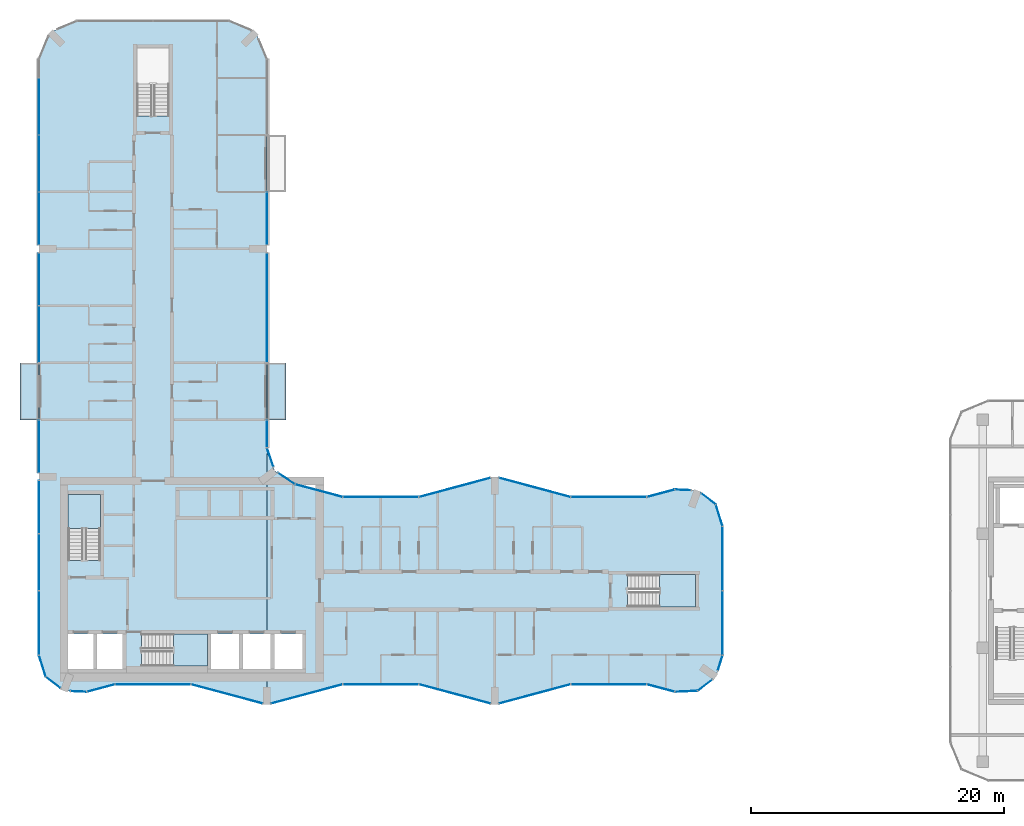
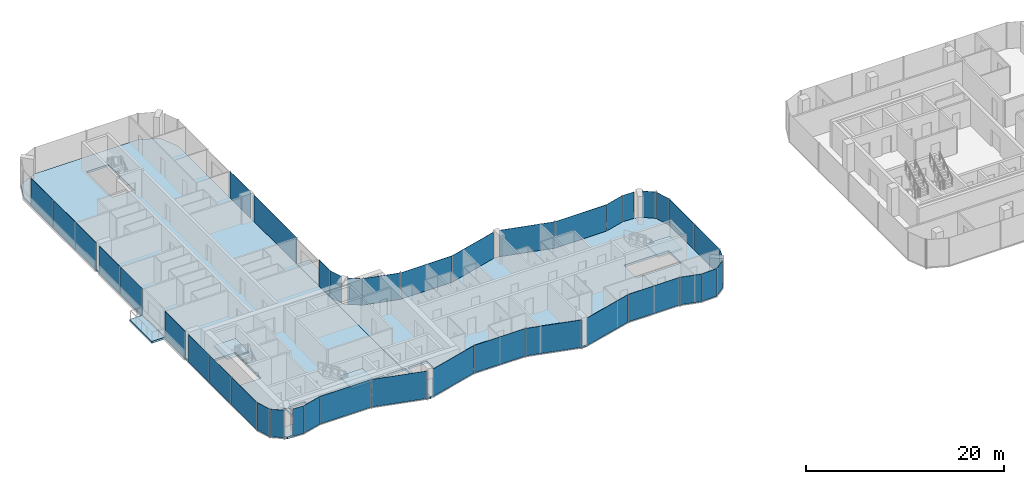
# One storey, part 11 of 22: 40 plates, 7 slabs, 37 elements without a shape of their own.
"""IFC4 building model written with IfcOpenShell, lengths in metres."""

from ifc_helpers import new_model, si_unit, direction, frame, origin, origin_2d, place, context, subcontext, project, spatial, polyline, rectangle, outline, extrude, material, layer, layer_set, type_object, element, aggregate, save


model = new_model("IFC4")

# Units and contexts
model_context = context("Model", 3, precision=1e-05, world=origin(), true_north=direction((0.0, 1.0)))
body_context = subcontext(model_context, "Body", "Model", "MODEL_VIEW")
ifc_project = project(units=[si_unit("LENGTHUNIT", "METRE"), si_unit("AREAUNIT", "SQUARE_METRE"), si_unit("VOLUMEUNIT", "CUBIC_METRE"), si_unit("PLANEANGLEUNIT", "RADIAN"), si_unit("MASSUNIT", "GRAM", prefix="KILO")], contexts=[model_context])

# Site, building, storey
site_placement = place(None, origin())
site = spatial("IfcSite", under=ifc_project, at=site_placement, CompositionType="ELEMENT")
building_placement = place(site_placement, origin())
building = spatial("IfcBuilding", under=site, at=building_placement, Name="Plateau Cross Towers", CompositionType="ELEMENT")
storey_placement = place(building_placement, frame((0.0, 0.0, 102.800048828125)))
storey = spatial("IfcBuildingStorey", under=building, at=storey_placement, Name="L26", CompositionType="ELEMENT", Elevation=102.800048828125)

# Slabs
ifc_material_1 = material(Name="Concrete C40/50", Category="concrete")
ifc_layer_1 = layer(ifc_material_1, 0.25)
ifc_layer_set_1 = layer_set([ifc_layer_1], Name="Concrete C40/50")
slab_type_1 = type_object("IfcSlabType", Name="Balcony slab 250", PredefinedType="FLOOR", material=ifc_layer_set_1)
slab_1_placement = place(storey_placement, frame((0.0, 0.0, -0.25)))
element("IfcSlab", 1, at=slab_1_placement, inside=storey, type_object=slab_type_1, Name="Balcony slab A-BAL-L26-01", PredefinedType="FLOOR", context=body_context, shape_type="SweptSolid", body=[
    extrude(outline(polyline([(0.0, 22.5), (0.0, 27.0), (-1.5, 27.0), (-1.5, 22.5), (0.0, 22.5)])), origin(), (0.0, 0.0, 1.0), 0.25),
])
slab_2_placement = place(storey_placement, frame((0.0, 0.0, -0.25)))
element("IfcSlab", 2, at=slab_2_placement, inside=storey, type_object=slab_type_1, Name="Balcony slab A-BAL-L26-02", PredefinedType="FLOOR", context=body_context, shape_type="SweptSolid", body=[
    extrude(outline(polyline([(19.5, 22.5), (19.5, 27.0), (18.0, 27.0), (18.0, 22.5), (19.5, 22.5)])), origin(), (0.0, 0.0, 1.0), 0.25),
])

# Curtain wall, plate
ifc_material_2 = material(Name="Dark low-iron glass", Category="glass")
ifc_layer_2 = layer(ifc_material_2, 0.239990234375)
ifc_layer_set_2 = layer_set([ifc_layer_2], Name="Dark low-iron glass")
curtain_wall_type_1 = type_object("IfcCurtainWallType", Name="Curtain wall flush unitised CW-B", PredefinedType="NOTDEFINED", material=ifc_layer_set_2)
curtain_wall_1_placement = place(storey_placement, origin())
curtain_wall_1 = element("IfcCurtainWall", 3, at=curtain_wall_1_placement, inside=storey, type_object=curtain_wall_type_1, Name="ENV/A/L26/A502_10", PredefinedType="NOTDEFINED")
ifc_layer_3 = layer(ifc_material_2, 0.031982421875)
ifc_layer_set_3 = layer_set([ifc_layer_3], Name="Dark low-iron glass")
plate_type_1 = type_object("IfcPlateType", Name="Glass panel 32 flush unitised", PredefinedType="CURTAIN_PANEL", material=ifc_layer_set_3)
plate_1_placement = place(storey_placement, frame((51.125, 1.05078125, -0.1298828125), z_axis=(0.0, 0.0, 1.0), x_axis=(0.999043701491, 0.043722791671, 0.0)))
plate_1 = element("IfcPlate", 4, at=plate_1_placement, type_object=plate_type_1, Name="CW-B panel 1", PredefinedType="CURTAIN_PANEL", context=body_context, shape_type="SweptSolid", body=[
    extrude(rectangle(XDim=1.744140625, YDim=0.031982421875, at=origin_2d()), origin(), (0.0, 0.0, 1.0), 3.3798828125),
])
aggregate(curtain_wall_1, [plate_1])

curtain_wall_2_placement = place(storey_placement, origin())
curtain_wall_2 = element("IfcCurtainWall", 5, at=curtain_wall_2_placement, inside=storey, type_object=curtain_wall_type_1, Name="ENV/A/L26/A520_11", PredefinedType="NOTDEFINED")
plate_2_placement = place(storey_placement, frame((52.60986328125, 1.5380859375, -0.1298828125), z_axis=(0.0, 0.0, 1.0), x_axis=(0.793315514529, 0.608810721331, 0.0)))
plate_2 = element("IfcPlate", 6, at=plate_2_placement, type_object=plate_type_1, Name="CW-B panel 1", PredefinedType="CURTAIN_PANEL", context=body_context, shape_type="SweptSolid", body=[
    extrude(rectangle(XDim=1.41162109375, YDim=0.031982421875, at=origin_2d()), origin(), (0.0, 0.0, 1.0), 3.3798828125),
])
aggregate(curtain_wall_2, [plate_2])

curtain_wall_3_placement = place(storey_placement, origin())
curtain_wall_3 = element("IfcCurtainWall", 7, at=curtain_wall_3_placement, inside=storey, type_object=curtain_wall_type_1, Name="ENV/A/L26/A536_27", PredefinedType="NOTDEFINED")
plate_3_placement = place(storey_placement, frame((53.805419921875, 3.292236328125, -0.1298828125), z_axis=(0.0, 0.0, 1.0), x_axis=(0.300686174994, 0.95372313811, 0.0)))
plate_3 = element("IfcPlate", 8, at=plate_3_placement, type_object=plate_type_1, Name="CW-B panel 1", PredefinedType="CURTAIN_PANEL", context=body_context, shape_type="SweptSolid", body=[
    extrude(rectangle(XDim=1.233642578125, YDim=0.031982421875, at=origin_2d()), origin(), (0.0, 0.0, 1.0), 3.3798828125),
])
aggregate(curtain_wall_3, [plate_3])

# Curtain wall, plates
curtain_wall_4_placement = place(storey_placement, origin())
curtain_wall_4 = element("IfcCurtainWall", 9, at=curtain_wall_4_placement, inside=storey, type_object=curtain_wall_type_1, Name="ENV/A/L26/A540_39", PredefinedType="NOTDEFINED")
plate_4_placement = place(storey_placement, frame((54.0, 6.45458984375, -0.1298828125), z_axis=(0.0, 0.0, 1.0), x_axis=(0.0, 1.0, 0.0)))
plate_4 = element("IfcPlate", 10, at=plate_4_placement, type_object=plate_type_1, Name="CW-B panel 1", PredefinedType="CURTAIN_PANEL", context=body_context, shape_type="SweptSolid", body=[
    extrude(rectangle(XDim=5.03076171875, YDim=0.031982421875, at=origin_2d()), origin(), (0.0, 0.0, 1.0), 3.3798828125),
])
plate_5_placement = place(storey_placement, frame((54.0, 11.54541015625, -0.1298828125), z_axis=(0.0, 0.0, 1.0), x_axis=(0.0, 1.0, 0.0)))
plate_5 = element("IfcPlate", 11, at=plate_5_placement, type_object=plate_type_1, Name="CW-B panel 2", PredefinedType="CURTAIN_PANEL", context=body_context, shape_type="SweptSolid", body=[
    extrude(rectangle(XDim=5.03076171875, YDim=0.031982421875, at=origin_2d()), origin(), (0.0, 0.0, 1.0), 3.3798828125),
])
aggregate(curtain_wall_4, [plate_4, plate_5])

# Curtain wall, plate
curtain_wall_5_placement = place(storey_placement, origin())
curtain_wall_5 = element("IfcCurtainWall", 12, at=curtain_wall_5_placement, inside=storey, type_object=curtain_wall_type_1, Name="ENV/A/L26/A540_141", PredefinedType="NOTDEFINED")
plate_6_placement = place(storey_placement, frame((53.728759765625, 14.951171875, -0.1298828125), z_axis=(0.0, 0.0, 1.0), x_axis=(-0.300686174994, 0.95372313811, 0.0)))
plate_6 = element("IfcPlate", 13, at=plate_6_placement, type_object=plate_type_1, Name="CW-B panel 1", PredefinedType="CURTAIN_PANEL", context=body_context, shape_type="SweptSolid", body=[
    extrude(rectangle(XDim=1.744140625, YDim=0.031982421875, at=origin_2d()), origin(), (0.0, 0.0, 1.0), 3.3798828125),
])
aggregate(curtain_wall_5, [plate_6])

curtain_wall_6_placement = place(storey_placement, origin())
curtain_wall_6 = element("IfcCurtainWall", 14, at=curtain_wall_6_placement, inside=storey, type_object=curtain_wall_type_1, Name="ENV/A/L26/A535_158", PredefinedType="NOTDEFINED")
plate_7_placement = place(storey_placement, frame((52.873779296875, 16.25927734375, -0.1298828125), z_axis=(0.0, 0.0, 1.0), x_axis=(-0.793315514529, 0.608810721331, 0.0)))
plate_7 = element("IfcPlate", 15, at=plate_7_placement, type_object=plate_type_1, Name="CW-B panel 1", PredefinedType="CURTAIN_PANEL", context=body_context, shape_type="SweptSolid", body=[
    extrude(rectangle(XDim=1.41162109375, YDim=0.031982421875, at=origin_2d()), origin(), (0.0, 0.0, 1.0), 3.3798828125),
])
aggregate(curtain_wall_6, [plate_7])

curtain_wall_7_placement = place(storey_placement, origin())
curtain_wall_7 = element("IfcCurtainWall", 16, at=curtain_wall_7_placement, inside=storey, type_object=curtain_wall_type_1, Name="ENV/A/L26/A515_169", PredefinedType="NOTDEFINED")
plate_8_placement = place(storey_placement, frame((50.8701171875, 16.96044921875, -0.1298828125), z_axis=(0.0, 0.0, 1.0), x_axis=(-0.999043701491, 0.043722791671, 0.0)))
plate_8 = element("IfcPlate", 17, at=plate_8_placement, type_object=plate_type_1, Name="CW-B panel 1", PredefinedType="CURTAIN_PANEL", context=body_context, shape_type="SweptSolid", body=[
    extrude(rectangle(XDim=1.233642578125, YDim=0.031982421875, at=origin_2d()), origin(), (0.0, 0.0, 1.0), 3.3798828125),
])
aggregate(curtain_wall_7, [plate_8])

curtain_wall_8_placement = place(storey_placement, origin())
curtain_wall_8 = element("IfcCurtainWall", 18, at=curtain_wall_8_placement, inside=storey, type_object=curtain_wall_type_1, Name="ENV/A/L26/A202_174", PredefinedType="NOTDEFINED")
plate_9_placement = place(storey_placement, frame((19.546630859375, 17.856689453125, -0.1298828125), z_axis=(0.0, 0.0, 1.0), x_axis=(-0.831521253329, 0.555492938984, 0.0)))
plate_9 = element("IfcPlate", 19, at=plate_9_placement, type_object=plate_type_1, Name="CW-B panel 1", PredefinedType="CURTAIN_PANEL", context=body_context, shape_type="SweptSolid", body=[
    extrude(rectangle(XDim=1.56884765625, YDim=0.031982421875, at=origin_2d()), origin(), (0.0, 0.0, 1.0), 3.3798828125),
])
aggregate(curtain_wall_8, [plate_9])

curtain_wall_9_placement = place(storey_placement, origin())
curtain_wall_9 = element("IfcCurtainWall", 20, at=curtain_wall_9_placement, inside=storey, type_object=curtain_wall_type_1, Name="ENV/A/L26/A185_188", PredefinedType="NOTDEFINED")
plate_10_placement = place(storey_placement, frame((18.26171875, 19.531005859375, -0.1298828125), z_axis=(0.0, 0.0, 1.0), x_axis=(-0.321469161574, 0.94692004845, 0.0)))
plate_10 = element("IfcPlate", 21, at=plate_10_placement, type_object=plate_type_1, Name="CW-B panel 1", PredefinedType="CURTAIN_PANEL", context=body_context, shape_type="SweptSolid", body=[
    extrude(rectangle(XDim=1.56884765625, YDim=0.031982421875, at=origin_2d()), origin(), (0.0, 0.0, 1.0), 3.3798828125),
])
aggregate(curtain_wall_9, [plate_10])

curtain_wall_10_placement = place(storey_placement, origin())
curtain_wall_10 = element("IfcCurtainWall", 22, at=curtain_wall_10_placement, inside=storey, type_object=curtain_wall_type_1, Name="ENV/A/L26/A180_203", PredefinedType="NOTDEFINED")
plate_11_placement = place(storey_placement, frame((18.0, 21.396240234375, -0.1298828125), z_axis=(0.0, 0.0, 1.0), x_axis=(0.0, 1.0, 0.0)))
plate_11 = element("IfcPlate", 23, at=plate_11_placement, type_object=plate_type_1, Name="CW-B panel 1", PredefinedType="CURTAIN_PANEL", context=body_context, shape_type="SweptSolid", body=[
    extrude(rectangle(XDim=2.127685546875, YDim=0.031982421875, at=origin_2d()), origin(), (0.0, 0.0, 1.0), 3.3798828125),
])
aggregate(curtain_wall_10, [plate_11])

curtain_wall_11_placement = place(storey_placement, origin())
curtain_wall_11 = element("IfcCurtainWall", 24, at=curtain_wall_11_placement, inside=storey, type_object=curtain_wall_type_1, Name="ENV/A/L26/A180_270", PredefinedType="NOTDEFINED")
plate_12_placement = place(storey_placement, frame((18.0, 31.35498046875, -0.1298828125), z_axis=(0.0, 0.0, 1.0), x_axis=(0.0, 1.0, 0.0)))
plate_12 = element("IfcPlate", 25, at=plate_12_placement, type_object=plate_type_1, Name="CW-B panel 1", PredefinedType="CURTAIN_PANEL", context=body_context, shape_type="SweptSolid", body=[
    extrude(rectangle(XDim=8.6298828125, YDim=0.031982421875, at=origin_2d()), origin(), (0.0, 0.0, 1.0), 3.3798828125),
])
aggregate(curtain_wall_11, [plate_12])

curtain_wall_12_placement = place(storey_placement, origin())
curtain_wall_12 = element("IfcCurtainWall", 26, at=curtain_wall_12_placement, inside=storey, type_object=curtain_wall_type_1, Name="ENV/A/L26/A180_363", PredefinedType="NOTDEFINED")
plate_13_placement = place(storey_placement, frame((18.0, 38.39501953125, -0.1298828125), z_axis=(0.0, 0.0, 1.0), x_axis=(0.0, 1.0, 0.0)))
plate_13 = element("IfcPlate", 27, at=plate_13_placement, type_object=plate_type_1, Name="CW-B panel 1", PredefinedType="CURTAIN_PANEL", context=body_context, shape_type="SweptSolid", body=[
    extrude(rectangle(XDim=4.1298828125, YDim=0.031982421875, at=origin_2d()), origin(), (0.0, 0.0, 1.0), 3.3798828125),
])
aggregate(curtain_wall_12, [plate_13])

# Curtain wall, plates
curtain_wall_13_placement = place(storey_placement, origin())
curtain_wall_13 = element("IfcCurtainWall", 28, at=curtain_wall_13_placement, inside=storey, type_object=curtain_wall_type_1, Name="ENV/A/L26/A0_510", PredefinedType="NOTDEFINED")
plate_14_placement = place(storey_placement, frame((0.0, 47.25, -0.1298828125), z_axis=(0.0, 0.0, 1.0), x_axis=(0.0, -1.0, 0.0)))
plate_14 = element("IfcPlate", 29, at=plate_14_placement, type_object=plate_type_1, Name="CW-B panel 2", PredefinedType="CURTAIN_PANEL", context=body_context, shape_type="SweptSolid", body=[
    extrude(rectangle(XDim=4.43994140625, YDim=0.031982421875, at=origin_2d()), origin(), (0.0, 0.0, 1.0), 3.3798828125),
])
plate_15_placement = place(storey_placement, frame((0.0, 42.75, -0.1298828125), z_axis=(0.0, 0.0, 1.0), x_axis=(0.0, -1.0, 0.0)))
plate_15 = element("IfcPlate", 30, at=plate_15_placement, type_object=plate_type_1, Name="CW-B panel 3", PredefinedType="CURTAIN_PANEL", context=body_context, shape_type="SweptSolid", body=[
    extrude(rectangle(XDim=4.43994140625, YDim=0.031982421875, at=origin_2d()), origin(), (0.0, 0.0, 1.0), 3.3798828125),
])
plate_16_placement = place(storey_placement, frame((0.0, 38.39990234375, -0.1298828125), z_axis=(0.0, 0.0, 1.0), x_axis=(0.0, -1.0, 0.0)))
plate_16 = element("IfcPlate", 31, at=plate_16_placement, type_object=plate_type_1, Name="CW-B panel 4", PredefinedType="CURTAIN_PANEL", context=body_context, shape_type="SweptSolid", body=[
    extrude(rectangle(XDim=4.139892578125, YDim=0.031982421875, at=origin_2d()), origin(), (0.0, 0.0, 1.0), 3.3798828125),
])
aggregate(curtain_wall_13, [plate_14, plate_15, plate_16])

curtain_wall_14_placement = place(storey_placement, origin())
curtain_wall_14 = element("IfcCurtainWall", 32, at=curtain_wall_14_placement, inside=storey, type_object=curtain_wall_type_1, Name="ENV/A/L26/A0_357", PredefinedType="NOTDEFINED")
plate_17_placement = place(storey_placement, frame((0.0, 33.60009765625, -0.1298828125), z_axis=(0.0, 0.0, 1.0), x_axis=(0.0, -1.0, 0.0)))
plate_17 = element("IfcPlate", 33, at=plate_17_placement, type_object=plate_type_1, Name="CW-B panel 1", PredefinedType="CURTAIN_PANEL", context=body_context, shape_type="SweptSolid", body=[
    extrude(rectangle(XDim=4.139892578125, YDim=0.031982421875, at=origin_2d()), origin(), (0.0, 0.0, 1.0), 3.3798828125),
])
plate_18_placement = place(storey_placement, frame((0.0, 29.2548828125, -0.1298828125), z_axis=(0.0, 0.0, 1.0), x_axis=(0.0, -1.0, 0.0)))
plate_18 = element("IfcPlate", 34, at=plate_18_placement, type_object=plate_type_1, Name="CW-B panel 2", PredefinedType="CURTAIN_PANEL", context=body_context, shape_type="SweptSolid", body=[
    extrude(rectangle(XDim=4.429931640625, YDim=0.031982421875, at=origin_2d()), origin(), (0.0, 0.0, 1.0), 3.3798828125),
])
aggregate(curtain_wall_14, [plate_17, plate_18])

# Curtain wall, plate
curtain_wall_15_placement = place(storey_placement, origin())
curtain_wall_15 = element("IfcCurtainWall", 35, at=curtain_wall_15_placement, inside=storey, type_object=curtain_wall_type_1, Name="ENV/A/L26/A0_225", PredefinedType="NOTDEFINED")
plate_19_placement = place(storey_placement, frame((0.0, 20.39501953125, -0.1298828125), z_axis=(0.0, 0.0, 1.0), x_axis=(0.0, -1.0, 0.0)))
plate_19 = element("IfcPlate", 36, at=plate_19_placement, type_object=plate_type_1, Name="CW-B panel 1", PredefinedType="CURTAIN_PANEL", context=body_context, shape_type="SweptSolid", body=[
    extrude(rectangle(XDim=4.1298828125, YDim=0.031982421875, at=origin_2d()), origin(), (0.0, 0.0, 1.0), 3.3798828125),
])
aggregate(curtain_wall_15, [plate_19])

# Curtain wall, plates
curtain_wall_16_placement = place(storey_placement, origin())
curtain_wall_16 = element("IfcCurtainWall", 37, at=curtain_wall_16_placement, inside=storey, type_object=curtain_wall_type_1, Name="ENV/A/L26/A0_177", PredefinedType="NOTDEFINED")
plate_20_placement = place(storey_placement, frame((0.0, 15.60009765625, -0.1298828125), z_axis=(0.0, 0.0, 1.0), x_axis=(0.0, -1.0, 0.0)))
plate_20 = element("IfcPlate", 38, at=plate_20_placement, type_object=plate_type_1, Name="CW-B panel 1", PredefinedType="CURTAIN_PANEL", context=body_context, shape_type="SweptSolid", body=[
    extrude(rectangle(XDim=4.139892578125, YDim=0.031982421875, at=origin_2d()), origin(), (0.0, 0.0, 1.0), 3.3798828125),
])
plate_21_placement = place(storey_placement, frame((0.0, 11.25, -0.1298828125), z_axis=(0.0, 0.0, 1.0), x_axis=(0.0, -1.0, 0.0)))
plate_21 = element("IfcPlate", 39, at=plate_21_placement, type_object=plate_type_1, Name="CW-B panel 2", PredefinedType="CURTAIN_PANEL", context=body_context, shape_type="SweptSolid", body=[
    extrude(rectangle(XDim=4.43994140625, YDim=0.031982421875, at=origin_2d()), origin(), (0.0, 0.0, 1.0), 3.3798828125),
])
plate_22_placement = place(storey_placement, frame((0.0, 6.45458984375, -0.1298828125), z_axis=(0.0, 0.0, 1.0), x_axis=(0.0, -1.0, 0.0)))
plate_22 = element("IfcPlate", 40, at=plate_22_placement, type_object=plate_type_1, Name="CW-B panel 3", PredefinedType="CURTAIN_PANEL", context=body_context, shape_type="SweptSolid", body=[
    extrude(rectangle(XDim=5.03076171875, YDim=0.031982421875, at=origin_2d()), origin(), (0.0, 0.0, 1.0), 3.3798828125),
])
aggregate(curtain_wall_16, [plate_20, plate_21, plate_22])

# Curtain wall, plate
curtain_wall_17_placement = place(storey_placement, origin())
curtain_wall_17 = element("IfcCurtainWall", 41, at=curtain_wall_17_placement, inside=storey, type_object=curtain_wall_type_1, Name="ENV/A/L26/A0_39", PredefinedType="NOTDEFINED")
plate_23_placement = place(storey_placement, frame((0.271240234375, 3.048828125, -0.1298828125), z_axis=(0.0, 0.0, 1.0), x_axis=(0.300686174994, -0.95372313811, 0.0)))
plate_23 = element("IfcPlate", 42, at=plate_23_placement, type_object=plate_type_1, Name="CW-B panel 1", PredefinedType="CURTAIN_PANEL", context=body_context, shape_type="SweptSolid", body=[
    extrude(rectangle(XDim=1.744140625, YDim=0.031982421875, at=origin_2d()), origin(), (0.0, 0.0, 1.0), 3.3798828125),
])
aggregate(curtain_wall_17, [plate_23])

curtain_wall_18_placement = place(storey_placement, origin())
curtain_wall_18 = element("IfcCurtainWall", 43, at=curtain_wall_18_placement, inside=storey, type_object=curtain_wall_type_1, Name="ENV/A/L26/A5_22", PredefinedType="NOTDEFINED")
plate_24_placement = place(storey_placement, frame((1.126220703125, 1.74072265625, -0.1298828125), z_axis=(0.0, 0.0, 1.0), x_axis=(0.793315514529, -0.608810721331, 0.0)))
plate_24 = element("IfcPlate", 44, at=plate_24_placement, type_object=plate_type_1, Name="CW-B panel 1", PredefinedType="CURTAIN_PANEL", context=body_context, shape_type="SweptSolid", body=[
    extrude(rectangle(XDim=1.41162109375, YDim=0.031982421875, at=origin_2d()), origin(), (0.0, 0.0, 1.0), 3.3798828125),
])
aggregate(curtain_wall_18, [plate_24])

curtain_wall_19_placement = place(storey_placement, origin())
curtain_wall_19 = element("IfcCurtainWall", 45, at=curtain_wall_19_placement, inside=storey, type_object=curtain_wall_type_1, Name="ENV/A/L26/A25_11", PredefinedType="NOTDEFINED")
plate_25_placement = place(storey_placement, frame((3.1298828125, 1.03955078125, -0.1298828125), z_axis=(0.0, 0.0, 1.0), x_axis=(0.999043701491, -0.043722791671, 0.0)))
plate_25 = element("IfcPlate", 46, at=plate_25_placement, type_object=plate_type_1, Name="CW-B panel 1", PredefinedType="CURTAIN_PANEL", context=body_context, shape_type="SweptSolid", body=[
    extrude(rectangle(XDim=1.233642578125, YDim=0.031982421875, at=origin_2d()), origin(), (0.0, 0.0, 1.0), 3.3798828125),
])
aggregate(curtain_wall_19, [plate_25])

ifc_layer_4 = layer(ifc_material_2, 0.260009765625)
ifc_layer_set_4 = layer_set([ifc_layer_4], Name="Dark low-iron glass")
curtain_wall_type_2 = type_object("IfcCurtainWallType", Name="Curtain wall fluted unitised CW-A", PredefinedType="NOTDEFINED", material=ifc_layer_set_4)
curtain_wall_20_placement = place(storey_placement, origin())
curtain_wall_20 = element("IfcCurtainWall", 47, at=curtain_wall_20_placement, inside=storey, type_object=curtain_wall_type_2, Name="ENV/A/L26/A38_10", PredefinedType="NOTDEFINED")
ifc_layer_5 = layer(ifc_material_2, 0.035888671875)
ifc_layer_set_5 = layer_set([ifc_layer_5], Name="Dark low-iron glass")
plate_type_2 = type_object("IfcPlateType", Name="Glass panel 36 fluted unitised", PredefinedType="CURTAIN_PANEL", material=ifc_layer_set_5)
plate_26_placement = place(storey_placement, frame((4.887939453125, 1.30908203125, -0.1298828125), z_axis=(0.0, 0.0, 1.0), x_axis=(0.965957962328, 0.258699081978, 0.0)))
plate_26 = element("IfcPlate", 48, at=plate_26_placement, type_object=plate_type_2, Name="CW-A panel 1", PredefinedType="CURTAIN_PANEL", context=body_context, shape_type="SweptSolid", body=[
    extrude(rectangle(XDim=2.2421875, YDim=0.035888671875, at=origin_2d()), origin(), (0.0, 0.0, 1.0), 3.3798828125),
])
aggregate(curtain_wall_20, [plate_26])

curtain_wall_21_placement = place(storey_placement, origin())
curtain_wall_21 = element("IfcCurtainWall", 49, at=curtain_wall_21_placement, inside=storey, type_object=curtain_wall_type_2, Name="ENV/A/L26/A60_16", PredefinedType="NOTDEFINED")
plate_27_placement = place(storey_placement, frame((9.0, 1.60693359375, -0.1298828125), z_axis=(0.0, 0.0, 1.0), x_axis=(1.0, 0.0, 0.0)))
plate_27 = element("IfcPlate", 50, at=plate_27_placement, type_object=plate_type_2, Name="CW-A panel 1", PredefinedType="CURTAIN_PANEL", context=body_context, shape_type="SweptSolid", body=[
    extrude(rectangle(XDim=5.93994140625, YDim=0.035888671875, at=origin_2d()), origin(), (0.0, 0.0, 1.0), 3.3798828125),
])
aggregate(curtain_wall_21, [plate_27])

curtain_wall_22_placement = place(storey_placement, origin())
curtain_wall_22 = element("IfcCurtainWall", 51, at=curtain_wall_22_placement, inside=storey, type_object=curtain_wall_type_2, Name="ENV/A/L26/A120_16", PredefinedType="NOTDEFINED")
plate_28_placement = place(storey_placement, frame((14.841064453125, 0.845947265625, -0.1298828125), z_axis=(0.0, 0.0, 1.0), x_axis=(0.965957983404, -0.258699003279, 0.0)))
plate_28 = element("IfcPlate", 52, at=plate_28_placement, type_object=plate_type_2, Name="CW-A panel 1", PredefinedType="CURTAIN_PANEL", context=body_context, shape_type="SweptSolid", body=[
    extrude(rectangle(XDim=5.822265625, YDim=0.035888671875, at=origin_2d()), origin(), (0.0, 0.0, 1.0), 3.3798828125),
])
aggregate(curtain_wall_22, [plate_28])

curtain_wall_23_placement = place(storey_placement, origin())
curtain_wall_23 = element("IfcCurtainWall", 53, at=curtain_wall_23_placement, inside=storey, type_object=curtain_wall_type_2, Name="ENV/A/L26/A183_1", PredefinedType="NOTDEFINED")
plate_29_placement = place(storey_placement, frame((21.158935546875, 0.845947265625, -0.1298828125), z_axis=(0.0, 0.0, 1.0), x_axis=(0.965957983404, 0.258699003279, 0.0)))
plate_29 = element("IfcPlate", 54, at=plate_29_placement, type_object=plate_type_2, Name="CW-A panel 1", PredefinedType="CURTAIN_PANEL", context=body_context, shape_type="SweptSolid", body=[
    extrude(rectangle(XDim=5.822265625, YDim=0.035888671875, at=origin_2d()), origin(), (0.0, 0.0, 1.0), 3.3798828125),
])
aggregate(curtain_wall_23, [plate_29])

curtain_wall_24_placement = place(storey_placement, origin())
curtain_wall_24 = element("IfcCurtainWall", 55, at=curtain_wall_24_placement, inside=storey, type_object=curtain_wall_type_2, Name="ENV/A/L26/A240_16", PredefinedType="NOTDEFINED")
plate_30_placement = place(storey_placement, frame((27.0, 1.60693359375, -0.1298828125), z_axis=(0.0, 0.0, 1.0), x_axis=(1.0, 0.0, 0.0)))
plate_30 = element("IfcPlate", 56, at=plate_30_placement, type_object=plate_type_2, Name="CW-A panel 1", PredefinedType="CURTAIN_PANEL", context=body_context, shape_type="SweptSolid", body=[
    extrude(rectangle(XDim=5.93994140625, YDim=0.035888671875, at=origin_2d()), origin(), (0.0, 0.0, 1.0), 3.3798828125),
])
aggregate(curtain_wall_24, [plate_30])

curtain_wall_25_placement = place(storey_placement, origin())
curtain_wall_25 = element("IfcCurtainWall", 57, at=curtain_wall_25_placement, inside=storey, type_object=curtain_wall_type_2, Name="ENV/A/L26/A300_16", PredefinedType="NOTDEFINED")
plate_31_placement = place(storey_placement, frame((32.841064453125, 0.845947265625, -0.1298828125), z_axis=(0.0, 0.0, 1.0), x_axis=(0.965957983404, -0.258699003279, 0.0)))
plate_31 = element("IfcPlate", 58, at=plate_31_placement, type_object=plate_type_2, Name="CW-A panel 1", PredefinedType="CURTAIN_PANEL", context=body_context, shape_type="SweptSolid", body=[
    extrude(rectangle(XDim=5.822265625, YDim=0.035888671875, at=origin_2d()), origin(), (0.0, 0.0, 1.0), 3.3798828125),
])
aggregate(curtain_wall_25, [plate_31])

curtain_wall_26_placement = place(storey_placement, origin())
curtain_wall_26 = element("IfcCurtainWall", 59, at=curtain_wall_26_placement, inside=storey, type_object=curtain_wall_type_2, Name="ENV/A/L26/A363_1", PredefinedType="NOTDEFINED")
plate_32_placement = place(storey_placement, frame((39.158935546875, 0.845947265625, -0.1298828125), z_axis=(0.0, 0.0, 1.0), x_axis=(0.965957983404, 0.258699003279, 0.0)))
plate_32 = element("IfcPlate", 60, at=plate_32_placement, type_object=plate_type_2, Name="CW-A panel 1", PredefinedType="CURTAIN_PANEL", context=body_context, shape_type="SweptSolid", body=[
    extrude(rectangle(XDim=5.822265625, YDim=0.035888671875, at=origin_2d()), origin(), (0.0, 0.0, 1.0), 3.3798828125),
])
aggregate(curtain_wall_26, [plate_32])

curtain_wall_27_placement = place(storey_placement, origin())
curtain_wall_27 = element("IfcCurtainWall", 61, at=curtain_wall_27_placement, inside=storey, type_object=curtain_wall_type_2, Name="ENV/A/L26/A420_16", PredefinedType="NOTDEFINED")
plate_33_placement = place(storey_placement, frame((45.0, 1.60693359375, -0.1298828125), z_axis=(0.0, 0.0, 1.0), x_axis=(1.0, 0.0, 0.0)))
plate_33 = element("IfcPlate", 62, at=plate_33_placement, type_object=plate_type_2, Name="CW-A panel 1", PredefinedType="CURTAIN_PANEL", context=body_context, shape_type="SweptSolid", body=[
    extrude(rectangle(XDim=5.93994140625, YDim=0.035888671875, at=origin_2d()), origin(), (0.0, 0.0, 1.0), 3.3798828125),
])
aggregate(curtain_wall_27, [plate_33])

curtain_wall_28_placement = place(storey_placement, origin())
curtain_wall_28 = element("IfcCurtainWall", 63, at=curtain_wall_28_placement, inside=storey, type_object=curtain_wall_type_2, Name="ENV/A/L26/A480_16", PredefinedType="NOTDEFINED")
plate_34_placement = place(storey_placement, frame((49.112060546875, 1.30908203125, -0.1298828125), z_axis=(0.0, 0.0, 1.0), x_axis=(0.965957962328, -0.258699081978, 0.0)))
plate_34 = element("IfcPlate", 64, at=plate_34_placement, type_object=plate_type_2, Name="CW-A panel 1", PredefinedType="CURTAIN_PANEL", context=body_context, shape_type="SweptSolid", body=[
    extrude(rectangle(XDim=2.2421875, YDim=0.035888671875, at=origin_2d()), origin(), (0.0, 0.0, 1.0), 3.3798828125),
])
aggregate(curtain_wall_28, [plate_34])

curtain_wall_29_placement = place(storey_placement, origin())
curtain_wall_29 = element("IfcCurtainWall", 65, at=curtain_wall_29_placement, inside=storey, type_object=curtain_wall_type_2, Name="ENV/A/L26/A502_170", PredefinedType="NOTDEFINED")
plate_35_placement = place(storey_placement, frame((49.112060546875, 16.69091796875, -0.1298828125), z_axis=(0.0, 0.0, 1.0), x_axis=(-0.965957962328, -0.258699081978, 0.0)))
plate_35 = element("IfcPlate", 66, at=plate_35_placement, type_object=plate_type_2, Name="CW-A panel 1", PredefinedType="CURTAIN_PANEL", context=body_context, shape_type="SweptSolid", body=[
    extrude(rectangle(XDim=2.2421875, YDim=0.035888671875, at=origin_2d()), origin(), (0.0, 0.0, 1.0), 3.3798828125),
])
aggregate(curtain_wall_29, [plate_35])

curtain_wall_30_placement = place(storey_placement, origin())
curtain_wall_30 = element("IfcCurtainWall", 67, at=curtain_wall_30_placement, inside=storey, type_object=curtain_wall_type_2, Name="ENV/A/L26/A480_164", PredefinedType="NOTDEFINED")
plate_36_placement = place(storey_placement, frame((45.0, 16.39306640625, -0.1298828125), z_axis=(0.0, 0.0, 1.0), x_axis=(-1.0, 0.0, 0.0)))
plate_36 = element("IfcPlate", 68, at=plate_36_placement, type_object=plate_type_2, Name="CW-A panel 1", PredefinedType="CURTAIN_PANEL", context=body_context, shape_type="SweptSolid", body=[
    extrude(rectangle(XDim=5.93994140625, YDim=0.035888671875, at=origin_2d()), origin(), (0.0, 0.0, 1.0), 3.3798828125),
])
aggregate(curtain_wall_30, [plate_36])

curtain_wall_31_placement = place(storey_placement, origin())
curtain_wall_31 = element("IfcCurtainWall", 69, at=curtain_wall_31_placement, inside=storey, type_object=curtain_wall_type_2, Name="ENV/A/L26/A420_164", PredefinedType="NOTDEFINED")
plate_37_placement = place(storey_placement, frame((39.158935546875, 17.154052734375, -0.1298828125), z_axis=(0.0, 0.0, 1.0), x_axis=(-0.965957983404, 0.258699003279, 0.0)))
plate_37 = element("IfcPlate", 70, at=plate_37_placement, type_object=plate_type_2, Name="CW-A panel 1", PredefinedType="CURTAIN_PANEL", context=body_context, shape_type="SweptSolid", body=[
    extrude(rectangle(XDim=5.822265625, YDim=0.035888671875, at=origin_2d()), origin(), (0.0, 0.0, 1.0), 3.3798828125),
])
aggregate(curtain_wall_31, [plate_37])

curtain_wall_32_placement = place(storey_placement, origin())
curtain_wall_32 = element("IfcCurtainWall", 71, at=curtain_wall_32_placement, inside=storey, type_object=curtain_wall_type_2, Name="ENV/A/L26/A357_179", PredefinedType="NOTDEFINED")
plate_38_placement = place(storey_placement, frame((32.841064453125, 17.154052734375, -0.1298828125), z_axis=(0.0, 0.0, 1.0), x_axis=(-0.965957983404, -0.258699003279, 0.0)))
plate_38 = element("IfcPlate", 72, at=plate_38_placement, type_object=plate_type_2, Name="CW-A panel 1", PredefinedType="CURTAIN_PANEL", context=body_context, shape_type="SweptSolid", body=[
    extrude(rectangle(XDim=5.822265625, YDim=0.035888671875, at=origin_2d()), origin(), (0.0, 0.0, 1.0), 3.3798828125),
])
aggregate(curtain_wall_32, [plate_38])

curtain_wall_33_placement = place(storey_placement, origin())
curtain_wall_33 = element("IfcCurtainWall", 73, at=curtain_wall_33_placement, inside=storey, type_object=curtain_wall_type_2, Name="ENV/A/L26/A300_164", PredefinedType="NOTDEFINED")
plate_39_placement = place(storey_placement, frame((27.0, 16.39306640625, -0.1298828125), z_axis=(0.0, 0.0, 1.0), x_axis=(-1.0, 0.0, 0.0)))
plate_39 = element("IfcPlate", 74, at=plate_39_placement, type_object=plate_type_2, Name="CW-A panel 1", PredefinedType="CURTAIN_PANEL", context=body_context, shape_type="SweptSolid", body=[
    extrude(rectangle(XDim=5.93994140625, YDim=0.035888671875, at=origin_2d()), origin(), (0.0, 0.0, 1.0), 3.3798828125),
])
aggregate(curtain_wall_33, [plate_39])

curtain_wall_34_placement = place(storey_placement, origin())
curtain_wall_34 = element("IfcCurtainWall", 75, at=curtain_wall_34_placement, inside=storey, type_object=curtain_wall_type_2, Name="ENV/A/L26/A240_164", PredefinedType="NOTDEFINED")
plate_40_placement = place(storey_placement, frame((22.112060546875, 16.898681640625, -0.1298828125), z_axis=(0.0, 0.0, 1.0), x_axis=(-0.965957995816, 0.258698956933, 0.0)))
plate_40 = element("IfcPlate", 76, at=plate_40_placement, type_object=plate_type_2, Name="CW-A panel 1", PredefinedType="CURTAIN_PANEL", context=body_context, shape_type="SweptSolid", body=[
    extrude(rectangle(XDim=3.84912109375, YDim=0.035888671875, at=origin_2d()), origin(), (0.0, 0.0, 1.0), 3.3798828125),
])
aggregate(curtain_wall_34, [plate_40])

# Slabs
ifc_layer_6 = layer(ifc_material_1, 0.25)
ifc_layer_set_6 = layer_set([ifc_layer_6], Name="Concrete C40/50")
slab_type_2 = type_object("IfcSlabType", Name="Post-tensioned flat plate slab 250", PredefinedType="FLOOR", material=ifc_layer_set_6)
slab_3_placement = place(storey_placement, frame((0.0, 0.0, -0.25)))
element("IfcSlab", 77, at=slab_3_placement, inside=storey, type_object=slab_type_2, Name="SL-A-L26 1", PredefinedType="FLOOR", context=body_context, shape_type="SweptSolid", body=[
    extrude(outline(polyline([(0.54248046875, 2.1884765625), (0.0, 3.9091796875), (0.0, 51.0), (0.878662109375, 53.121337890625), (3.0, 54.0), (15.0, 54.0), (17.121337890625, 53.121337890625), (18.0, 51.0), (18.0, 20.30224609375), (18.0, 5.60009765625), (16.10009765625, 5.60009765625), (16.10009765625, 2.800048828125), (18.0, 2.800048828125), (18.0, 0.0), (12.0, 1.60693359375), (6.0, 1.60693359375), (3.776123046875, 1.01123046875), (1.9736328125, 1.090087890625), (0.54248046875, 2.1884765625)]), holes=[polyline([(4.300048828125, 5.60009765625), (2.300048828125, 5.60009765625), (2.300048828125, 2.800048828125), (4.300048828125, 2.800048828125), (4.300048828125, 5.60009765625)]), polyline([(6.60009765625, 5.60009765625), (4.60009765625, 5.60009765625), (4.60009765625, 2.800048828125), (6.60009765625, 2.800048828125), (6.60009765625, 5.60009765625)]), polyline([(15.800048828125, 5.60009765625), (13.60009765625, 5.60009765625), (13.60009765625, 2.800048828125), (15.800048828125, 2.800048828125), (15.800048828125, 5.60009765625)]), polyline([(13.300048828125, 5.60009765625), (8.10009765625, 5.60009765625), (8.10009765625, 3.050048828125), (13.300048828125, 3.050048828125), (13.300048828125, 5.60009765625)]), polyline([(4.85009765625, 16.60009765625), (2.300048828125, 16.60009765625), (2.300048828125, 11.39990234375), (4.85009765625, 11.39990234375), (4.85009765625, 16.60009765625)]), polyline([(7.72509765625, 51.699951171875), (7.72509765625, 46.5), (10.27490234375, 46.5), (10.27490234375, 51.699951171875), (7.72509765625, 51.699951171875)])]), origin(), (0.0, 0.0, 1.0), 0.25),
])
slab_4_placement = place(storey_placement, frame((0.0, 0.0, -0.25)))
element("IfcSlab", 78, at=slab_4_placement, inside=storey, type_object=slab_type_2, Name="SL-A-L26 2", PredefinedType="FLOOR", context=body_context, shape_type="SweptSolid", body=[
    extrude(outline(polyline([(18.6201171875, 18.475830078125), (20.223876953125, 17.404296875), (24.0, 16.39306640625), (30.0, 16.39306640625), (36.0, 18.0), (42.0, 16.39306640625), (48.0, 16.39306640625), (50.223876953125, 16.98876953125), (52.0263671875, 16.909912109375), (53.45751953125, 15.8115234375), (54.0, 14.0908203125), (54.0, 3.9091796875), (53.45751953125, 2.1884765625), (52.0263671875, 1.090087890625), (50.223876953125, 1.01123046875), (48.0, 1.60693359375), (42.0, 1.60693359375), (36.0, 0.0), (30.0, 1.60693359375), (24.0, 1.60693359375), (18.0, 0.0), (18.0, 2.800048828125), (18.300048828125, 2.800048828125), (18.300048828125, 5.60009765625), (18.0, 5.60009765625), (18.0, 20.30224609375), (18.6201171875, 18.475830078125)]), holes=[polyline([(20.800048828125, 5.60009765625), (18.60009765625, 5.60009765625), (18.60009765625, 2.800048828125), (20.800048828125, 2.800048828125), (20.800048828125, 5.60009765625)]), polyline([(51.699951171875, 7.72509765625), (51.699951171875, 10.27490234375), (46.5, 10.27490234375), (46.5, 7.72509765625), (51.699951171875, 7.72509765625)])]), origin(), (0.0, 0.0, 1.0), 0.25),
])

# Stair, slab
stair_type = type_object("IfcStairType", Name="ST-TWR", PredefinedType="HALF_TURN_STAIR", material=ifc_material_1)
stair_1_placement = place(storey_placement, origin())
stair_1 = element("IfcStair", 79, at=stair_1_placement, inside=storey, type_object=stair_type, Name="L26 Protected Exit Stair ST-1", PredefinedType="HALF_TURN_STAIR")
ifc_layer_7 = layer(ifc_material_1, 0.199951171875)
ifc_layer_set_7 = layer_set([ifc_layer_7], Name="Concrete C40/50")
slab_type_3 = type_object("IfcSlabType", Name="SL-LANDING", PredefinedType="LANDING", material=ifc_layer_set_7)
slab_5_placement = place(storey_placement, frame((0.0, 0.0, 1.550048828125)))
slab_5 = element("IfcSlab", 80, at=slab_5_placement, type_object=slab_type_3, Name="ST-1 landing 1", PredefinedType="LANDING", context=body_context, shape_type="SweptSolid", body=[
    extrude(outline(polyline([(4.85009765625, 13.919921875), (4.85009765625, 16.60009765625), (2.300048828125, 16.60009765625), (2.300048828125, 13.919921875), (4.85009765625, 13.919921875)])), origin(), (0.0, 0.0, 1.0), 0.199951171875),
])
aggregate(stair_1, [slab_5])

stair_2_placement = place(storey_placement, origin())
stair_2 = element("IfcStair", 81, at=stair_2_placement, inside=storey, type_object=stair_type, Name="L26 Protected Exit Stair ST-2", PredefinedType="HALF_TURN_STAIR")
slab_6_placement = place(storey_placement, frame((0.0, 0.0, 1.550048828125)))
slab_6 = element("IfcSlab", 82, at=slab_6_placement, type_object=slab_type_3, Name="ST-2 landing 1", PredefinedType="LANDING", context=body_context, shape_type="SweptSolid", body=[
    extrude(outline(polyline([(10.6201171875, 3.050048828125), (13.300048828125, 3.050048828125), (13.300048828125, 5.60009765625), (10.6201171875, 5.60009765625), (10.6201171875, 3.050048828125)])), origin(), (0.0, 0.0, 1.0), 0.199951171875),
])
aggregate(stair_2, [slab_6])

stair_3_placement = place(storey_placement, origin())
stair_3 = element("IfcStair", 83, at=stair_3_placement, inside=storey, type_object=stair_type, Name="L26 Protected Exit Stair E", PredefinedType="HALF_TURN_STAIR")
slab_7_placement = place(storey_placement, frame((0.0, 0.0, 1.550048828125)))
slab_7 = element("IfcSlab", 84, at=slab_7_placement, type_object=slab_type_3, Name="ES-E landing 1", PredefinedType="LANDING", context=body_context, shape_type="SweptSolid", body=[
    extrude(outline(polyline([(49.02001953125, 7.72509765625), (51.85009765625, 7.72509765625), (51.85009765625, 10.27490234375), (49.02001953125, 10.27490234375), (49.02001953125, 7.72509765625)])), origin(), (0.0, 0.0, 1.0), 0.199951171875),
])
aggregate(stair_3, [slab_7])

save(model, "model.ifc")
